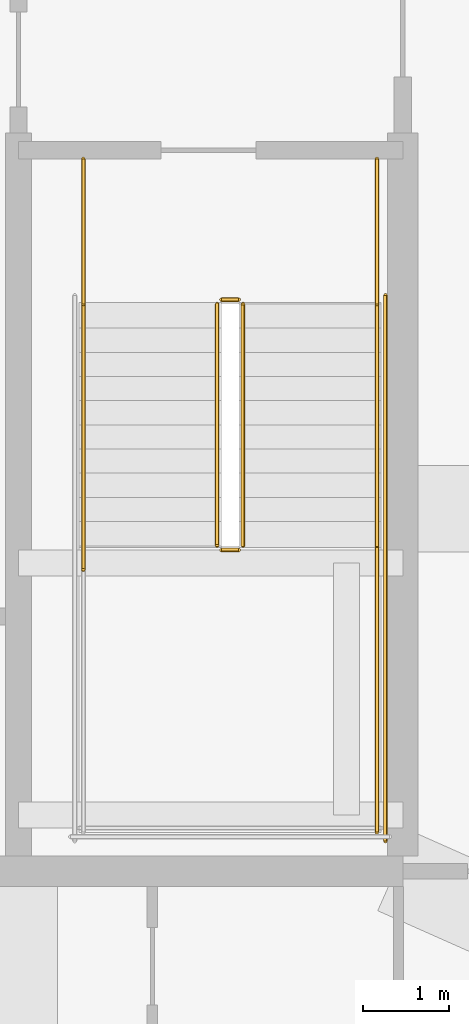
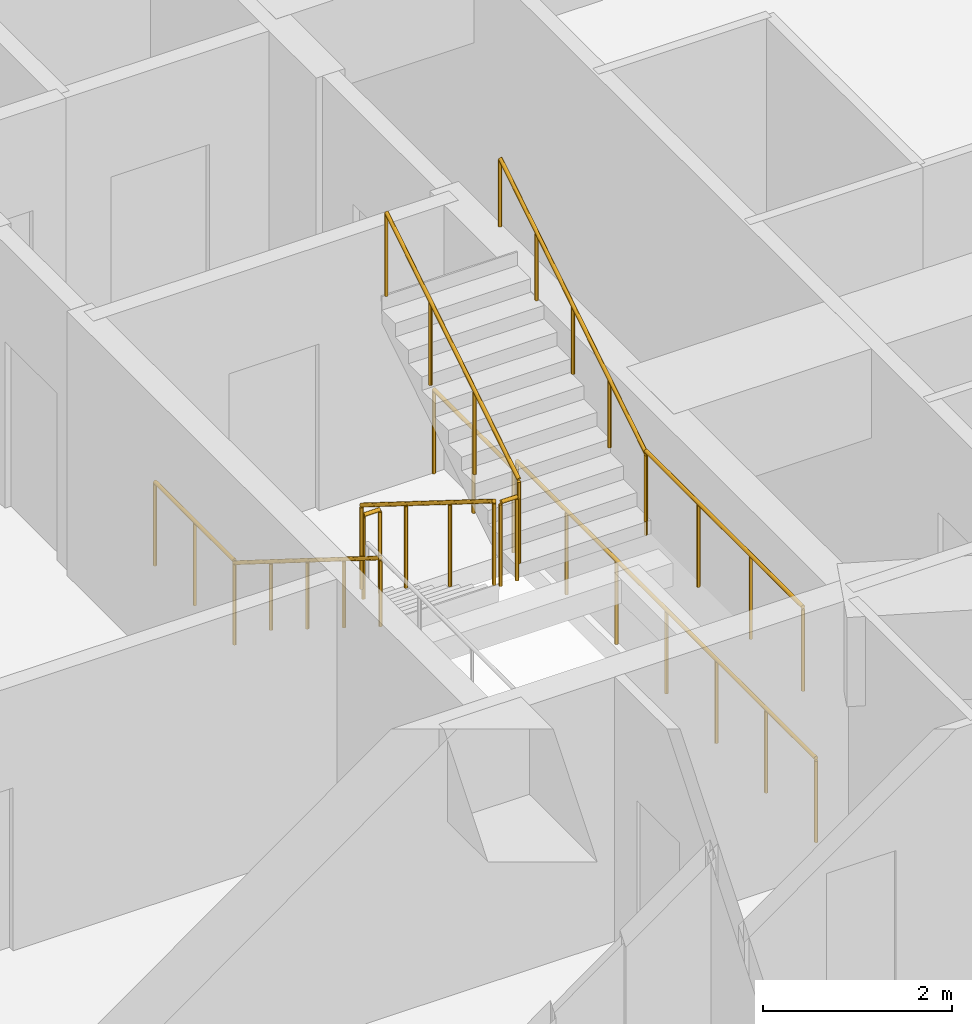
# One storey, part 38 of 39: 10 railings.
"""IFC4 building model written with IfcOpenShell, lengths in metres."""

import ifcopenshell
import ifcopenshell.guid

model = None  # the IFC model being written
_history = None  # IfcOwnerHistory: only IFC2X3 demands one
_inside = {}  # id of a spatial element -> (the spatial element, [elements in it])
_under = {}  # id of a project, library or spatial element -> (it, [spatial elements below it])
_declared = {}  # id of a project -> (the project, [libraries it declares])
_typed = {}  # id of a type object -> (the type object, [elements of that type])
_made_of = {}  # id of a material, layer set ... -> (it, [elements and type objects made of it])


def new_model(schema):
    """Start an empty IFC model of exactly this schema.

    Asked for "IFC4X3", IfcOpenShell would pick the latest addendum, in which some entities
    have other attributes; the version numbers below select the first issue.
    IFC2X3 requires an IfcOwnerHistory on every rooted entity: one is made here for all.
    """
    global model, _history
    if schema == "IFC4X3":
        model = ifcopenshell.file(schema_version=(4, 3, 0, 0))
    else:
        model = ifcopenshell.file(schema=schema)
    _inside.clear()
    _under.clear()
    _declared.clear()
    _typed.clear()
    _made_of.clear()
    _history = None
    if model.schema == "IFC2X3":
        org = make("IfcOrganization", Name="unknown")
        user = make(
            "IfcPersonAndOrganization",
            ThePerson=make("IfcPerson", FamilyName="unknown"),
            TheOrganization=org,
        )
        app = make(
            "IfcApplication",
            ApplicationDeveloper=org,
            Version="unknown",
            ApplicationFullName="unknown",
            ApplicationIdentifier="unknown",
        )
        _history = make(
            "IfcOwnerHistory",
            OwningUser=user,
            OwningApplication=app,
            ChangeAction="ADDED",
            CreationDate=0,
        )
    return model


def make(cls, **values):
    """One entity of the class cls with the attributes given. An attribute that is None is left unset."""
    return model.create_entity(
        cls, **{name: value for name, value in values.items() if value is not None}
    )


def rooted(cls, **values):
    """An entity with a GlobalId (a new one), such as an element, a storey or a relation."""
    return make(cls, GlobalId=ifcopenshell.guid.new(), OwnerHistory=_history, **values)


def si_unit(unit_type, name, prefix=None):
    """IfcSIUnit, for example si_unit("LENGTHUNIT", "METRE", prefix="MILLI")."""
    return make("IfcSIUnit", UnitType=unit_type, Prefix=prefix, Name=name)


def assignment(units):
    """IfcUnitAssignment: the units of a project."""
    return None if units is None else make("IfcUnitAssignment", Units=units)


def point(xyz):
    """IfcCartesianPoint."""
    return None if xyz is None else make("IfcCartesianPoint", Coordinates=xyz)


def direction(xyz):
    """IfcDirection."""
    return None if xyz is None else make("IfcDirection", DirectionRatios=xyz)


def frame(location, z_axis=None, x_axis=None):
    """IfcAxis2Placement3D, a coordinate frame: its origin and axes. An axis left out is left unset."""
    return make(
        "IfcAxis2Placement3D",
        Location=point(location),
        Axis=direction(z_axis),
        RefDirection=direction(x_axis),
    )


def frame_2d(location, x_axis=None):
    """IfcAxis2Placement2D, a coordinate frame in the plane: its origin and x axis."""
    return make(
        "IfcAxis2Placement2D", Location=point(location), RefDirection=direction(x_axis)
    )


def origin():
    """The frame at (0, 0, 0) with its axes left unset."""
    return frame((0.0, 0.0, 0.0))


def origin_2d():
    """The frame at (0, 0) in the plane with its x axis left unset."""
    return frame_2d((0.0, 0.0))


def place(relative_to, where):
    """IfcLocalPlacement: puts the frame where relative to a parent placement (None: the world)."""
    return make(
        "IfcLocalPlacement", PlacementRelTo=relative_to, RelativePlacement=where
    )


def context(
    kind, dimensions, precision=None, world=None, true_north=None, identifier=None
):
    """IfcGeometricRepresentationContext, for example the 3D "Model" context."""
    return make(
        "IfcGeometricRepresentationContext",
        ContextIdentifier=identifier,
        ContextType=kind,
        CoordinateSpaceDimension=dimensions,
        Precision=precision,
        WorldCoordinateSystem=world,
        TrueNorth=true_north,
    )


def subcontext(parent, identifier, kind, view, scale=None):
    """IfcGeometricRepresentationSubContext, for example "Body" below "Model"."""
    return make(
        "IfcGeometricRepresentationSubContext",
        ContextIdentifier=identifier,
        ContextType=kind,
        ParentContext=parent,
        TargetScale=scale,
        TargetView=view,
    )


def project(units=None, contexts=None):
    """IfcProject with its units and contexts."""
    return rooted(
        "IfcProject",
        Name="project",
        RepresentationContexts=contexts,
        UnitsInContext=assignment(units),
    )


def spatial(cls, under=None, at=None, **own):
    """A site, building, storey or space (cls), placed at a placement, below another one or the project."""
    s = rooted(cls, ObjectPlacement=at, **own)
    if under is not None:
        _under.setdefault(under.id(), (under, []))[1].append(s)
    return s


def profile(cls, at=None, kind="AREA", **sizes):
    """A parametric profile (cls). Its sizes go by their IFC names, for example OverallWidth=200.0."""
    return make(cls, ProfileType=kind, Position=at, **sizes)


def circle(**sizes):
    """IfcCircleProfileDef."""
    return profile("IfcCircleProfileDef", **sizes)


def extrude(swept, where, along, depth):
    """IfcExtrudedAreaSolid: the profile swept, set in the frame where, extruded along a direction by depth."""
    return make(
        "IfcExtrudedAreaSolid",
        SweptArea=swept,
        Position=where,
        ExtrudedDirection=direction(along),
        Depth=depth,
    )


def shape(context_of_items, identifier, shape_type, items):
    """IfcShapeRepresentation: the items that make up one representation, for example the "Body"."""
    return make(
        "IfcShapeRepresentation",
        ContextOfItems=context_of_items,
        RepresentationIdentifier=identifier,
        RepresentationType=shape_type,
        Items=items,
    )


def material(Name=None, Category=None):
    """IfcMaterial."""
    return make("IfcMaterial", Name=Name, Category=Category)


def made_of(thing, what):
    """Note that an element or type object is made of a material, layer set ...; save() writes the relation."""
    if what is not None:
        _made_of.setdefault(what.id(), (what, []))[1].append(thing)
    return thing


def type_object(cls, material=None, **own):
    """A type object (cls), such as IfcWallType, which elements share."""
    return made_of(rooted(cls, **own), material)


def element(
    cls,
    number,
    at=None,
    inside=None,
    cuts=None,
    type_object=None,
    material=None,
    context=None,
    identifier="Body",
    shape_type=None,
    held_by="IfcProductDefinitionShape",
    body=None,
    shapes=None,
    **own,
):
    """One element of the class cls, such as IfcWall. Its Tag is "e" and its number.

    at: its placement. inside: the storey or other place that contains it. cuts: it is an
    opening in that element (IfcRelVoidsElement). A single representation is given by context,
    identifier, shape_type and body (its items); several are given by shapes. held_by: the class
    of the entity that holds the representations. save() writes the other relations.
    """
    e = rooted(cls, Tag="e%d" % number, ObjectPlacement=at, **own)
    if body is not None:
        shapes = [shape(context, identifier, shape_type, body)]
    if shapes is not None:
        e.Representation = make(held_by, Representations=shapes)
    if inside is not None:
        _inside.setdefault(inside.id(), (inside, []))[1].append(e)
    if cuts is not None:
        rooted(
            "IfcRelVoidsElement", RelatingBuildingElement=cuts, RelatedOpeningElement=e
        )
    if type_object is not None:
        _typed.setdefault(type_object.id(), (type_object, []))[1].append(e)
    return made_of(e, material)


def aggregate(whole, parts):
    """IfcRelAggregates: a whole, such as a stair, and the parts it consists of."""
    return rooted("IfcRelAggregates", RelatingObject=whole, RelatedObjects=parts)


def save(model, path):
    """Write the relations noted so far, then the file.

    IfcRelAggregates (storeys below a building ...), IfcRelContainedInSpatialStructure (elements
    in a storey), IfcRelDefinesByType, IfcRelAssociatesMaterial and IfcRelDeclares: one each for
    every whole, place, type object, material and project.
    """
    for whole, parts in _under.values():
        aggregate(whole, parts)
    for where, things in _inside.values():
        rooted(
            "IfcRelContainedInSpatialStructure",
            RelatedElements=things,
            RelatingStructure=where,
        )
    for kind, things in _typed.values():
        rooted("IfcRelDefinesByType", RelatedObjects=things, RelatingType=kind)
    for what, things in _made_of.values():
        rooted("IfcRelAssociatesMaterial", RelatedObjects=things, RelatingMaterial=what)
    for by, libraries in _declared.values():
        rooted("IfcRelDeclares", RelatingContext=by, RelatedDefinitions=libraries)
    model.write(path)


model = new_model("IFC4")

# Units and contexts
model_context = context("Model", 3, precision=1e-05, world=origin(), true_north=direction((0.0, 1.0)))
body_context = subcontext(model_context, "Body", "Model", "MODEL_VIEW")
ifc_project = project(units=[si_unit("LENGTHUNIT", "METRE"), si_unit("AREAUNIT", "SQUARE_METRE"), si_unit("VOLUMEUNIT", "CUBIC_METRE"), si_unit("PLANEANGLEUNIT", "RADIAN"), si_unit("MASSUNIT", "GRAM", prefix="KILO")], contexts=[model_context])

# Site, building, storey
site_placement = place(None, origin())
site = spatial("IfcSite", under=ifc_project, at=site_placement, CompositionType="ELEMENT")
building_placement = place(site_placement, origin())
building = spatial("IfcBuilding", under=site, at=building_placement, Name="Serunith Strait Residences", CompositionType="ELEMENT")
storey_placement = place(building_placement, frame((0.0, 0.0, 283.60009765625)))
storey = spatial("IfcBuildingStorey", under=building, at=storey_placement, Name="L71", CompositionType="ELEMENT", Elevation=283.60009765625)

# Railings
ifc_material = material(Name="Brushed stainless steel 316L", Category="steel")
railing_type_1 = type_object("IfcRailingType", Name="RLG-STAIR-GUARD", PredefinedType="BALUSTRADE", material=ifc_material)
railing_1_placement = place(storey_placement, frame((39.25, 23.3701171875, 0.1748046875)))
element("IfcRailing", 1, at=railing_1_placement, inside=storey, type_object=railing_type_1, Name="L71 ST-2 stair guard 1", PredefinedType="BALUSTRADE", context=body_context, shape_type="SweptSolid", body=[
    extrude(circle(Radius=0.02392578125, at=origin_2d()), frame((0.0, -0.001708984375, 1.0771484375), z_axis=(0.0, -0.848002457836, 0.529992293815), x_axis=(1.0, 0.0, 0.0)), (0.0, 0.0, 1.0), 3.2978515625),
    extrude(circle(Radius=0.02099609375, at=origin_2d()), origin(), (0.0, 0.0, 1.0), 1.050048828125),
    extrude(circle(Radius=0.02099609375, at=origin_2d()), frame((0.0, -0.933349609375, 0.583251953125)), (0.0, 0.0, 1.0), 1.050048828125),
    extrude(circle(Radius=0.02099609375, at=origin_2d()), frame((0.0, -1.86669921875, 1.166748046875)), (0.0, 0.0, 1.0), 1.050048828125),
    extrude(circle(Radius=0.02099609375, at=origin_2d()), frame((0.0, -2.800048828125, 1.75)), (0.0, 0.0, 1.0), 1.050048828125),
])
railing_2_placement = place(storey_placement, frame((39.300048828125, 20.52001953125, 1.9248046875)))
element("IfcRailing", 2, at=railing_2_placement, inside=storey, type_object=railing_type_1, Name="L71 ST-2 stair guard 2", PredefinedType="BALUSTRADE", context=body_context, shape_type="SweptSolid", body=[
    extrude(circle(Radius=0.02392578125, at=origin_2d()), frame((0.001953125, 0.0, 1.076171875), z_axis=(1.0, 0.0, 0.0), x_axis=(0.0, 1.0, 0.0)), (0.0, 0.0, 1.0), 0.196044921875),
    extrude(circle(Radius=0.02099609375, at=origin_2d()), origin(), (0.0, 0.0, 1.0), 1.050048828125),
    extrude(circle(Radius=0.02099609375, at=origin_2d()), frame((0.199951171875, 0.0, 0.0)), (0.0, 0.0, 1.0), 1.050048828125),
])
railing_3_placement = place(storey_placement, frame((41.10009765625, 20.570068359375, 1.9248046875)))
element("IfcRailing", 3, at=railing_3_placement, inside=storey, type_object=railing_type_1, Name="L71 ST-2 stair guard 4", PredefinedType="BALUSTRADE", context=body_context, shape_type="SweptSolid", body=[
    extrude(circle(Radius=0.02392578125, at=origin_2d()), frame((0.0, -0.001953125, 1.076171875), z_axis=(0.0, -1.0, 0.0), x_axis=(1.0, 0.0, 0.0)), (0.0, 0.0, 1.0), 3.316162109375),
    extrude(circle(Radius=0.02099609375, at=origin_2d()), origin(), (0.0, 0.0, 1.0), 1.050048828125),
    extrude(circle(Radius=0.02099609375, at=origin_2d()), frame((0.0, -1.106689453125, 0.0)), (0.0, 0.0, 1.0), 1.050048828125),
    extrude(circle(Radius=0.02099609375, at=origin_2d()), frame((0.0, -2.21337890625, 0.0)), (0.0, 0.0, 1.0), 1.050048828125),
    extrude(circle(Radius=0.02099609375, at=origin_2d()), frame((0.0, -3.320068359375, 0.0)), (0.0, 0.0, 1.0), 1.050048828125),
])
railing_4_placement = place(storey_placement, frame((39.550048828125, 20.570068359375, 2.099853515625)))
element("IfcRailing", 4, at=railing_4_placement, inside=storey, type_object=railing_type_1, Name="L71 ST-2 stair guard 6", PredefinedType="BALUSTRADE", context=body_context, shape_type="SweptSolid", body=[
    extrude(circle(Radius=0.02392578125, at=origin_2d()), frame((0.0, 0.001708984375, 1.0771484375), z_axis=(0.0, 0.848002457836, 0.529992293815), x_axis=(-1.0, 0.0, 0.0)), (0.0, 0.0, 1.0), 3.2978515625),
    extrude(circle(Radius=0.02099609375, at=origin_2d()), origin(), (0.0, 0.0, 1.0), 1.050048828125),
    extrude(circle(Radius=0.02099609375, at=origin_2d()), frame((0.0, 0.933349609375, 0.583251953125)), (0.0, 0.0, 1.0), 1.050048828125),
    extrude(circle(Radius=0.02099609375, at=origin_2d()), frame((0.0, 1.86669921875, 1.166748046875)), (0.0, 0.0, 1.0), 1.050048828125),
    extrude(circle(Radius=0.02099609375, at=origin_2d()), frame((0.0, 2.800048828125, 1.75)), (0.0, 0.0, 1.0), 1.050048828125),
])
railing_5_placement = place(storey_placement, frame((39.300048828125, 23.419921875, 0.0)))
element("IfcRailing", 5, at=railing_5_placement, inside=storey, type_object=railing_type_1, Name="L71 ST-2 stair guard 7", PredefinedType="BALUSTRADE", context=body_context, shape_type="SweptSolid", body=[
    extrude(circle(Radius=0.02392578125, at=origin_2d()), frame((0.001953125, 0.0, 1.076171875), z_axis=(1.0, 0.0, 0.0), x_axis=(0.0, 1.0, 0.0)), (0.0, 0.0, 1.0), 0.196044921875),
    extrude(circle(Radius=0.02099609375, at=origin_2d()), origin(), (0.0, 0.0, 1.0), 1.050048828125),
    extrude(circle(Radius=0.02099609375, at=origin_2d()), frame((0.199951171875, 0.0, 0.0)), (0.0, 0.0, 1.0), 1.050048828125),
])
for number, where, name in (
    (6, (37.699951171875, 25.050048828125, 0.0), "L71 ST-2 stair guard 8"),
    (7, (41.10009765625, 25.050048828125, 0.0), "L71 ST-2 stair guard 9"),
):
    element("IfcRailing", number, at=place(storey_placement, frame(where)), inside=storey, type_object=railing_type_1, Name=name, PredefinedType="BALUSTRADE", context=body_context, shape_type="SweptSolid", body=[
        extrude(circle(Radius=0.02392578125, at=origin_2d()), frame((0.0, -0.001953125, 1.076171875), z_axis=(0.0, -1.0, 0.0), x_axis=(1.0, 0.0, 0.0)), (0.0, 0.0, 1.0), 1.676025390625),
        extrude(circle(Radius=0.02099609375, at=origin_2d()), origin(), (0.0, 0.0, 1.0), 1.050048828125),
        extrude(circle(Radius=0.02099609375, at=origin_2d()), frame((0.0, -0.83984375, 0.0)), (0.0, 0.0, 1.0), 1.050048828125),
        extrude(circle(Radius=0.02099609375, at=origin_2d()), frame((0.0, -1.679931640625, 0.0)), (0.0, 0.0, 1.0), 1.050048828125),
    ])
railing_6_placement = place(storey_placement, frame((41.199951171875, 23.469970703125, 0.0)))
element("IfcRailing", 8, at=railing_6_placement, inside=storey, type_object=railing_type_1, Name="L71 ST-2 stair guard 11", PredefinedType="BALUSTRADE", context=body_context, shape_type="SweptSolid", body=[
    extrude(circle(Radius=0.02392578125, at=origin_2d()), frame((0.0, -0.001953125, 1.076171875), z_axis=(0.0, -1.0, 0.0), x_axis=(1.0, 0.0, 0.0)), (0.0, 0.0, 1.0), 6.316162109375),
    extrude(circle(Radius=0.02099609375, at=origin_2d()), origin(), (0.0, 0.0, 1.0), 1.050048828125),
    extrude(circle(Radius=0.02099609375, at=origin_2d()), frame((0.0, -1.05322265625, 0.0)), (0.0, 0.0, 1.0), 1.050048828125),
    extrude(circle(Radius=0.02099609375, at=origin_2d()), frame((0.0, -2.106689453125, 0.0)), (0.0, 0.0, 1.0), 1.050048828125),
    extrude(circle(Radius=0.02099609375, at=origin_2d()), frame((0.0, -3.16015625, 0.0)), (0.0, 0.0, 1.0), 1.050048828125),
    extrude(circle(Radius=0.02099609375, at=origin_2d()), frame((0.0, -4.21337890625, 0.0)), (0.0, 0.0, 1.0), 1.050048828125),
    extrude(circle(Radius=0.02099609375, at=origin_2d()), frame((0.0, -5.2666015625, 0.0)), (0.0, 0.0, 1.0), 1.050048828125),
    extrude(circle(Radius=0.02099609375, at=origin_2d()), frame((0.0, -6.320068359375, 0.0)), (0.0, 0.0, 1.0), 1.050048828125),
])
railing_type_2 = type_object("IfcRailingType", Name="RLG-STAIR-HR", PredefinedType="HANDRAIL", material=ifc_material)
railing_7_placement = place(storey_placement, frame((37.699951171875, 23.3701171875, 0.1748046875)))
element("IfcRailing", 9, at=railing_7_placement, inside=storey, type_object=railing_type_2, Name="L71 ST-2 stair handrail 1", PredefinedType="HANDRAIL", context=body_context, shape_type="SweptSolid", body=[
    extrude(circle(Radius=0.02392578125, at=origin_2d()), frame((0.0, -0.001708984375, 0.876953125), z_axis=(0.0, -0.847363772988, 0.531012839984), x_axis=(1.0, 0.0, 0.0)), (0.0, 0.0, 1.0), 3.630859375),
    extrude(circle(Radius=0.02099609375, at=origin_2d()), origin(), (0.0, 0.0, 1.0), 0.849853515625),
    extrude(circle(Radius=0.02099609375, at=origin_2d()), frame((0.0, -0.77001953125, 0.482421875)), (0.0, 0.0, 1.0), 0.849853515625),
    extrude(circle(Radius=0.02099609375, at=origin_2d()), frame((0.0, -1.5400390625, 0.965087890625)), (0.0, 0.0, 1.0), 0.849853515625),
    extrude(circle(Radius=0.02099609375, at=origin_2d()), frame((0.0, -2.31005859375, 1.44775390625)), (0.0, 0.0, 1.0), 0.849853515625),
    extrude(circle(Radius=0.02099609375, at=origin_2d()), frame((0.0, -3.080078125, 1.93017578125)), (0.0, 0.0, 1.0), 0.849853515625),
])
railing_8_placement = place(storey_placement, frame((41.10009765625, 20.570068359375, 2.099853515625)))
element("IfcRailing", 10, at=railing_8_placement, inside=storey, type_object=railing_type_2, Name="L71 ST-2 stair handrail 2", PredefinedType="HANDRAIL", context=body_context, shape_type="SweptSolid", body=[
    extrude(circle(Radius=0.02392578125, at=origin_2d()), frame((0.0, 0.001708984375, 0.876953125), z_axis=(0.0, 0.847375056783, 0.530994833442), x_axis=(-1.0, 0.0, 0.0)), (0.0, 0.0, 1.0), 3.630615234375),
    extrude(circle(Radius=0.02099609375, at=origin_2d()), origin(), (0.0, 0.0, 1.0), 0.849853515625),
    extrude(circle(Radius=0.02099609375, at=origin_2d()), frame((0.0, 0.77001953125, 0.482421875)), (0.0, 0.0, 1.0), 0.849853515625),
    extrude(circle(Radius=0.02099609375, at=origin_2d()), frame((0.0, 1.5400390625, 0.96484375)), (0.0, 0.0, 1.0), 0.849853515625),
    extrude(circle(Radius=0.02099609375, at=origin_2d()), frame((0.0, 2.309814453125, 1.447509765625)), (0.0, 0.0, 1.0), 0.849853515625),
    extrude(circle(Radius=0.02099609375, at=origin_2d()), frame((0.0, 3.079833984375, 1.929931640625)), (0.0, 0.0, 1.0), 0.849853515625),
])

save(model, "model.ifc")
